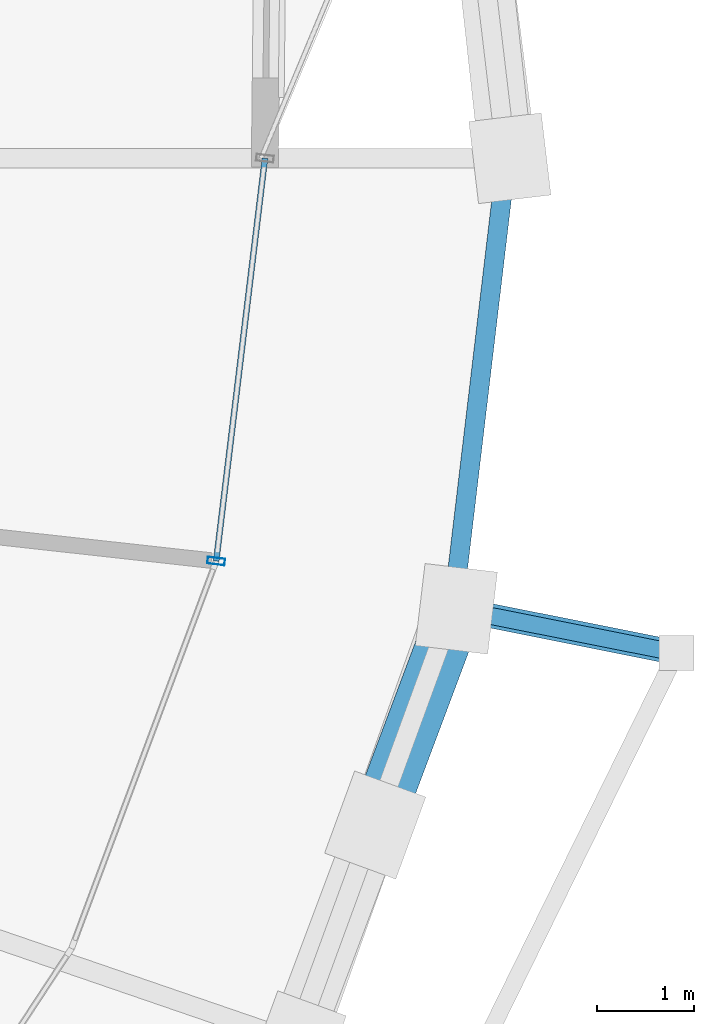
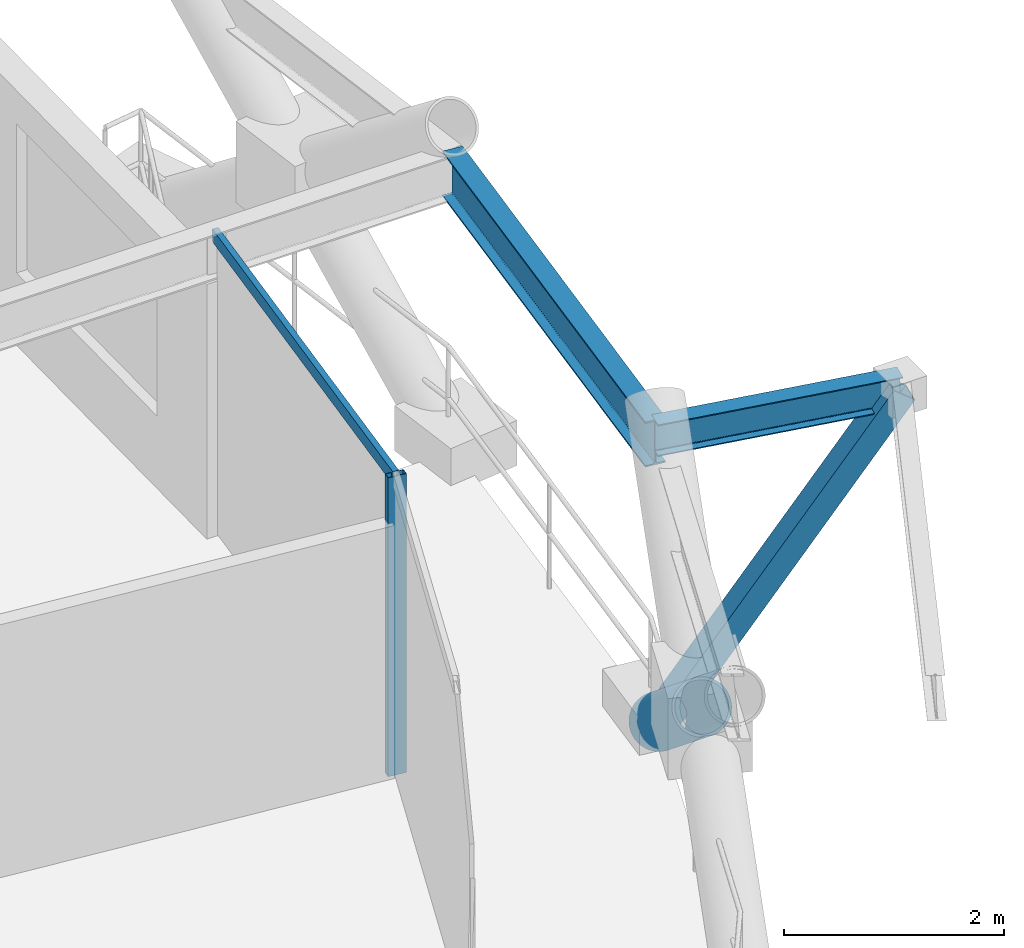
# One storey, part 9 of 21: 4 members, 2 beams, 1 element without a shape of its own.
"""IFC4 building model written with IfcOpenShell, lengths in metres."""

from ifc_helpers import new_model, si_unit, direction, frame, origin, origin_2d, place, context, subcontext, project, spatial, hollow_rectangle, hollow_circle, i_section, extrude, material, layer, layer_set, material_profile, profile_set, type_object, element, aggregate, save


model = new_model("IFC4")

# Units and contexts
model_context = context("Model", 3, precision=1e-05, world=origin(), true_north=direction((0.0, 1.0)))
body_context = subcontext(model_context, "Body", "Model", "MODEL_VIEW")
ifc_project = project(units=[si_unit("LENGTHUNIT", "METRE"), si_unit("AREAUNIT", "SQUARE_METRE"), si_unit("VOLUMEUNIT", "CUBIC_METRE"), si_unit("PLANEANGLEUNIT", "RADIAN"), si_unit("MASSUNIT", "GRAM", prefix="KILO")], contexts=[model_context])

# Site, building, storey
site_placement = place(None, origin())
site = spatial("IfcSite", under=ifc_project, at=site_placement, CompositionType="ELEMENT")
building_placement = place(site_placement, origin())
building = spatial("IfcBuilding", under=site, at=building_placement, Name="Veldorina Hangang Commons", CompositionType="ELEMENT")
storey_placement = place(building_placement, frame((0.0, 0.0, 120.800048828125)))
storey = spatial("IfcBuildingStorey", under=building, at=storey_placement, Name="L30", CompositionType="ELEMENT", Elevation=120.800048828125)

# Beams
ifc_material_1 = material(Name="Steel SM355-TMC", Category="steel")
ifc_material_profile_1 = material_profile(ifc_material_1, i_section(OverallWidth=0.175048828125, OverallDepth=0.35009765625, WebThickness=0.007080078125, FlangeThickness=0.010986328125, FilletRadius=0.012939453125, at=origin_2d()), Name="H-350x175x7x11")
ifc_profile_set_1 = profile_set([ifc_material_profile_1], Name="Steel SM355-TMC")
beam_type_1 = type_object("IfcBeamType", Name="BM-FG350", PredefinedType="BEAM", material=ifc_profile_set_1)
beam_1_placement = place(storey_placement, frame((60.076416015625, 19.368896484375, 3.175048828125), z_axis=(0.98078392195, -0.1950971513, 0.0), x_axis=(0.1950971513, 0.98078392195, 0.0)))
element("IfcBeam", 1, at=beam_1_placement, inside=storey, type_object=beam_type_1, Name="L31 tree balcony 2 bracket beam B", PredefinedType="BEAM", context=body_context, shape_type="SweptSolid", body=[
    extrude(i_section(OverallWidth=0.175048828125, OverallDepth=0.35009765625, WebThickness=0.007080078125, FlangeThickness=0.010986328125, FilletRadius=0.012939453125, at=origin_2d()), origin(), (0.0, 0.0, 1.0), 2.35009765625),
])
ifc_material_2 = material(Name="Steel SM420-TMC", Category="steel")
ifc_material_profile_2 = material_profile(ifc_material_2, i_section(OverallWidth=0.199951171875, OverallDepth=0.5, WebThickness=0.010009765625, FlangeThickness=0.01611328125, FilletRadius=0.01611328125, at=origin_2d()), Name="H-500x200x10x16")
ifc_profile_set_2 = profile_set([ifc_material_profile_2], Name="Steel SM420-TMC")
beam_type_2 = type_object("IfcBeamType", Name="BM-RB500", PredefinedType="BEAM", material=ifc_profile_set_2)
beam_2_placement = place(storey_placement, frame((60.08203125, 19.367919921875, 3.099853515625), z_axis=(0.117919214174, 0.993023191536, 0.0), x_axis=(-0.993023191536, 0.117919214174, 0.0)))
element("IfcBeam", 2, at=beam_2_placement, inside=storey, type_object=beam_type_2, Name="L30 perimeter hoop ring beam 31", PredefinedType="BEAM", context=body_context, shape_type="SweptSolid", body=[
    extrude(i_section(OverallWidth=0.199951171875, OverallDepth=0.5, WebThickness=0.010009765625, FlangeThickness=0.01611328125, FilletRadius=0.01611328125, at=origin_2d()), origin(), (0.0, 0.0, 1.0), 4.66455078125),
])

# Curtain wall, members
ifc_material_3 = material(Name="Glass Low-E Triple IGU", Category="glass")
ifc_layer = layer(ifc_material_3, 0.179931640625)
ifc_layer_set = layer_set([ifc_layer], Name="Glass Low-E Triple IGU")
curtain_wall_type = type_object("IfcCurtainWallType", Name="CW-SYS-Z2", PredefinedType="NOTDEFINED", material=ifc_layer_set)
curtain_wall_placement = place(storey_placement, origin())
curtain_wall = element("IfcCurtainWall", 3, at=curtain_wall_placement, inside=storey, type_object=curtain_wall_type, Name="L30 unitised curtain wall CW-L30-R2", PredefinedType="NOTDEFINED")
ifc_material_4 = material(Name="Aluminium Anodized AA6063-T6", Category="aluminium")
ifc_material_profile_3 = material_profile(ifc_material_4, hollow_rectangle(XDim=0.070068359375, YDim=0.179931640625, WallThickness=0.00390625, at=origin_2d()), Name="ALU-RHS-180x70x4")
ifc_profile_set_3 = profile_set([ifc_material_profile_3], Name="Aluminium Anodized AA6063-T6")
member_type_1 = type_object("IfcMemberType", Name="CW-MUL-180", PredefinedType="MULLION", material=ifc_profile_set_3)
member_1_placement = place(storey_placement, frame((57.64453125, 19.85498046875, 0.0), z_axis=(0.0, 0.0, 1.0), x_axis=(0.120327432347, 0.992734259016, 0.0)))
member_1 = element("IfcMember", 4, at=member_1_placement, type_object=member_type_1, Name="CW-L30-R2 vertical mullion 3", PredefinedType="MULLION", context=body_context, shape_type="SweptSolid", body=[
    extrude(hollow_rectangle(XDim=0.070068359375, YDim=0.179931640625, WallThickness=0.00390625, at=origin_2d()), origin(), (0.0, 0.0, 1.0), 3.31005859375),
])
ifc_material_profile_4 = material_profile(ifc_material_4, hollow_rectangle(XDim=0.06005859375, YDim=0.139892578125, WallThickness=0.00341796875, at=origin_2d()), Name="ALU-RHS-140x60x3.5")
ifc_profile_set_4 = profile_set([ifc_material_profile_4], Name="Aluminium Anodized AA6063-T6")
member_type_2 = type_object("IfcMemberType", Name="CW-TRN-140", PredefinedType="USERDEFINED", material=ifc_profile_set_4)
member_2_placement = place(storey_placement, frame((57.64453125, 19.85498046875, 3.27001953125), z_axis=(0.120334859949, 0.992733358703, 0.0), x_axis=(-0.992733358703, 0.120334859949, 0.0)))
member_2 = element("IfcMember", 5, at=member_2_placement, type_object=member_type_2, Name="CW-L30-R2 facet 5 transom 1", ObjectType="TRANSOM", PredefinedType="USERDEFINED", context=body_context, shape_type="SweptSolid", body=[
    extrude(hollow_rectangle(XDim=0.06005859375, YDim=0.139892578125, WallThickness=0.00341796875, at=origin_2d()), origin(), (0.0, 0.0, 1.0), 4.17529296875),
])
aggregate(curtain_wall, [member_1, member_2])

# Members
ifc_material_profile_5 = material_profile(ifc_material_2, hollow_circle(Radius=0.27490234375, WallThickness=0.028076171875, at=origin_2d()), Name="CHS-550x28")
ifc_profile_set_5 = profile_set([ifc_material_profile_5], Name="Steel SM420-TMC")
member_type_3 = type_object("IfcMemberType", Name="DG-CHS550", PredefinedType="BRACE", material=ifc_profile_set_5)
member_3_placement = place(storey_placement, frame((60.1162109375, 19.36328125, 0.0), z_axis=(-0.280006804188, -0.74619357116, 0.603979589033), x_axis=(0.936253165864, -0.351326072773, 0.0)))
element("IfcMember", 6, at=member_3_placement, inside=storey, type_object=member_type_3, Name="L30 split perimeter diagrid lower brace 31", PredefinedType="BRACE", context=body_context, shape_type="SweptSolid", body=[
    extrude(hollow_circle(Radius=0.27490234375, WallThickness=0.028076171875, at=origin_2d()), origin(), (0.0, 0.0, 1.0), 2.98193359375),
])
ifc_material_profile_6 = material_profile(ifc_material_1, hollow_rectangle(XDim=0.25, YDim=0.25, WallThickness=0.011962890625, at=origin_2d()), Name="SHS-250x250x12")
ifc_profile_set_6 = profile_set([ifc_material_profile_6], Name="Steel SM355-TMC")
member_type_4 = type_object("IfcMemberType", Name="STR-SHS250", PredefinedType="STRUT", material=ifc_profile_set_6)
member_4_placement = place(storey_placement, frame((60.1162109375, 19.36328125, 0.0), z_axis=(0.576894192928, -0.115341531352, 0.808634293925), x_axis=(0.196055159694, 0.980592868808, 0.0)))
element("IfcMember", 7, at=member_4_placement, inside=storey, type_object=member_type_4, Name="L31 tree balcony 2 raking knee strut B", PredefinedType="STRUT", context=body_context, shape_type="SweptSolid", body=[
    extrude(hollow_rectangle(XDim=0.25, YDim=0.25, WallThickness=0.011962890625, at=origin_2d()), origin(), (0.0, 0.0, 1.0), 3.926513671875),
])

save(model, "model.ifc")
